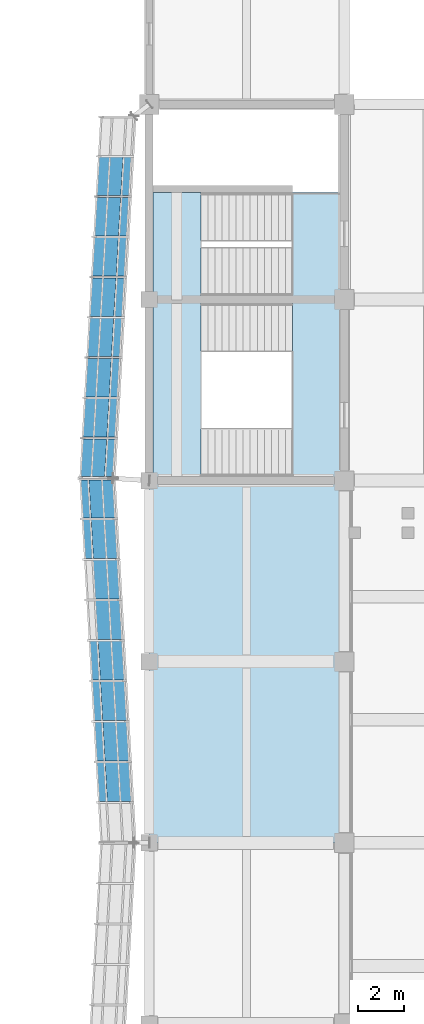
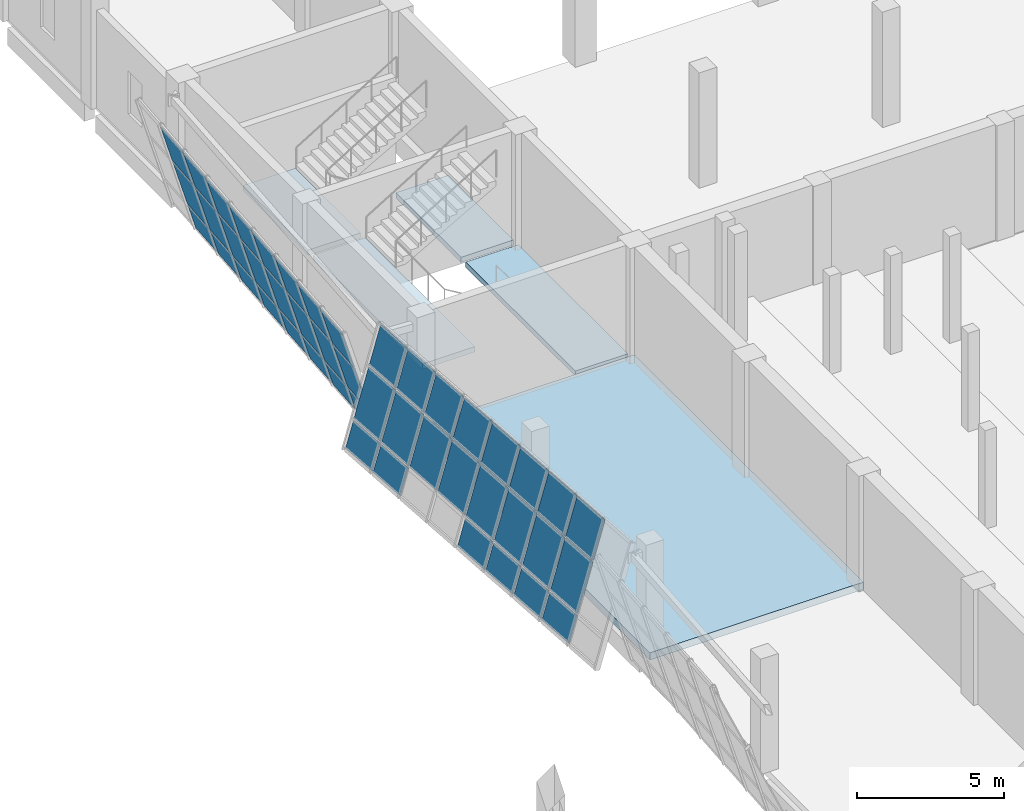
# One storey, part 70 of 91: 46 plates, 5 slabs, 4 elements without a shape of their own.
"""IFC4 building model written with IfcOpenShell, lengths in metres."""

from ifc_helpers import new_model, si_unit, direction, frame, origin, place, context, subcontext, project, spatial, polyline, outline, extrude, material, layer, layer_set, type_object, element, aggregate, save


model = new_model("IFC4")

# Units and contexts
model_context = context("Model", 3, precision=1e-05, world=origin(), true_north=direction((0.0, 1.0)))
body_context = subcontext(model_context, "Body", "Model", "MODEL_VIEW")
ifc_project = project(units=[si_unit("LENGTHUNIT", "METRE"), si_unit("AREAUNIT", "SQUARE_METRE"), si_unit("VOLUMEUNIT", "CUBIC_METRE"), si_unit("PLANEANGLEUNIT", "RADIAN"), si_unit("MASSUNIT", "GRAM", prefix="KILO")], contexts=[model_context])

# Site, building, storey
site_placement = place(None, origin())
site = spatial("IfcSite", under=ifc_project, at=site_placement, CompositionType="ELEMENT")
building_placement = place(site_placement, origin())
building = spatial("IfcBuilding", under=site, at=building_placement, Name="Pellamere Symphony Hall", CompositionType="ELEMENT")
storey_placement = place(building_placement, frame((0.0, 0.0, 5.39990234375)))
storey = spatial("IfcBuildingStorey", under=building, at=storey_placement, Name="L01", CompositionType="ELEMENT", Elevation=5.39990234375)

# Curtain wall, plates
ifc_material_1 = material(Name="Thermally Broken Anodised Aluminium 6063-T6 Curtain Wall", Category="aluminium")
curtain_wall_type = type_object("IfcCurtainWallType", Name="Curtain Wall CW-01 (Tilted Faceted Crystal Low-Iron Curtain Wall)", PredefinedType="NOTDEFINED", material=ifc_material_1)
curtain_wall_1_placement = place(storey_placement, origin())
curtain_wall_1 = element("IfcCurtainWall", 1, at=curtain_wall_1_placement, inside=storey, type_object=curtain_wall_type, Name="Crystal Faceted Curtain Wall CW-CR15 (L01)", PredefinedType="NOTDEFINED")
ifc_material_2 = material(Name="Triple Laminated Acoustic Crystal Glazing 42mm", Category="glass")
ifc_layer_1 = layer(ifc_material_2, 0.0419921875, Name="Triple Laminated Acoustic Crystal Glazing 42mm")
ifc_layer_set_1 = layer_set([ifc_layer_1], Name="Triple Laminated Acoustic Crystal Glazing 42mm")
plate_type = type_object("IfcPlateType", Name="Facade Panel GL-02 42mm", PredefinedType="CURTAIN_PANEL", material=ifc_layer_set_1)
plate_1_placement = place(storey_placement, frame((49.62646484375, 91.329345703125, 0.072021484375), z_axis=(0.957384191148, -0.055168665121, 0.283499433736), x_axis=(-0.057534824757, -0.998343499775, 1.9941656e-05)))
plate_1 = element("IfcPlate", 2, at=plate_1_placement, type_object=plate_type, Name="CW1-038 crystal glass panel 2.1", PredefinedType="CURTAIN_PANEL", context=body_context, shape_type="SweptSolid", body=[
    extrude(outline(polyline([(0.0, 0.0), (1.6614500460875117, 3.469446951953614e-18), (1.6792538494578284, -1.0888279602336133), (0.017817849958392376, -1.0888970590414027), (0.0, 0.0)])), origin(), (0.0, 0.0, -1.0), 0.0419921875),
])
plate_2_placement = place(storey_placement, frame((49.2958984375, 91.329345703125, 1.18798828125), z_axis=(0.957380265181, -0.055238896666, 0.283499016112), x_axis=(-0.057602168051, -0.998339616682, 0.0)))
plate_2 = element("IfcPlate", 3, at=plate_2_placement, type_object=plate_type, Name="CW1-038 crystal glass panel 2.2", PredefinedType="CURTAIN_PANEL", context=body_context, shape_type="SweptSolid", body=[
    extrude(outline(polyline([(0.0, 0.0), (1.6614500501978287, -3.469446951953614e-18), (1.694610673309276, -2.0272653718407074), (0.03316062311144734, -2.0272653718407074), (0.0, 0.0)])), origin(), (0.0, 0.0, -1.0), 0.0419921875),
])
plate_3_placement = place(storey_placement, frame((48.69873046875, 91.329345703125, 3.2041015625), z_axis=(0.957366710729, -0.055238114602, 0.283544938033), x_axis=(-0.057602168051, -0.998339616682, 0.0)))
plate_3 = element("IfcPlate", 4, at=plate_3_placement, type_object=plate_type, Name="CW1-038 crystal glass panel 2.3", PredefinedType="CURTAIN_PANEL", context=body_context, shape_type="SweptSolid", body=[
    extrude(outline(polyline([(0.0, 0.0), (1.6614500501978287, 0.0), (1.687452591390817, -1.5894005907142166), (0.02600254119298818, -1.5894005907142166), (0.0, 0.0)])), origin(), (0.0, 0.0, -1.0), 0.0419921875),
])
plate_4_placement = place(storey_placement, frame((49.526611328125, 89.595947265625, 0.072021484375), z_axis=(0.957349655397, -0.055245262022, 0.283601125412), x_axis=(-0.057610619545, -0.998339129012, 0.0)))
plate_4 = element("IfcPlate", 5, at=plate_4_placement, type_object=plate_type, Name="CW1-038 crystal glass panel 3.1", PredefinedType="CURTAIN_PANEL", context=body_context, shape_type="SweptSolid", body=[
    extrude(outline(polyline([(0.0, 0.0), (1.6612063149993754, -3.469446951953614e-18), (1.67902678740273, -1.0888970223981924), (0.017820472403354506, -1.0888970223981924), (0.0, 0.0)])), origin(), (0.0, 0.0, -1.0), 0.0419921875),
])
plate_5_placement = place(storey_placement, frame((49.196044921875, 89.595947265625, 1.18798828125), z_axis=(0.957347197893, -0.055245120208, 0.283609448679), x_axis=(-0.057610619545, -0.998339129012, 0.0)))
plate_5 = element("IfcPlate", 6, at=plate_5_placement, type_object=plate_type, Name="CW1-038 crystal glass panel 3.2", PredefinedType="CURTAIN_PANEL", context=body_context, shape_type="SweptSolid", body=[
    extrude(outline(polyline([(0.0, 0.0), (1.6612063149993754, -6.938893903907228e-18), (1.6943858685901516, -2.0273344043651265), (0.03317955359077607, -2.0273344043651265), (0.0, 0.0)])), origin(), (0.0, 0.0, -1.0), 0.0419921875),
])
plate_6_placement = place(storey_placement, frame((48.598876953125, 89.595947265625, 3.2041015625), z_axis=(0.957366280672, -0.055246221408, 0.283544810662), x_axis=(-0.057610619545, -0.998339129012, 0.0)))
plate_6 = element("IfcPlate", 7, at=plate_6_placement, type_object=plate_type, Name="CW1-038 crystal glass panel 3.3", PredefinedType="CURTAIN_PANEL", context=body_context, shape_type="SweptSolid", body=[
    extrude(outline(polyline([(0.0, 0.0), (1.6612063149993754, 0.0), (1.68721267133229, -1.5894005282940733), (0.02600635633291435, -1.5894005282940733), (0.0, 0.0)])), origin(), (0.0, 0.0, -1.0), 0.0419921875),
])
plate_7_placement = place(storey_placement, frame((49.426513671875, 87.862548828125, 0.072021484375), z_axis=(0.957349655397, -0.055245262022, 0.283601125412), x_axis=(-0.057610619545, -0.998339129012, 0.0)))
plate_7 = element("IfcPlate", 8, at=plate_7_placement, type_object=plate_type, Name="CW1-038 crystal glass panel 4.1", PredefinedType="CURTAIN_PANEL", context=body_context, shape_type="SweptSolid", body=[
    extrude(outline(polyline([(0.0, 0.0), (1.6612063149993754, -3.469446951953614e-18), (1.67902678740273, -1.0888970223981924), (0.017820472403354506, -1.0888970223981924), (0.0, 0.0)])), origin(), (0.0, 0.0, -1.0), 0.0419921875),
])
plate_8_placement = place(storey_placement, frame((49.095947265625, 87.862548828125, 1.18798828125), z_axis=(0.957347197893, -0.055245120208, 0.283609448679), x_axis=(-0.057610619545, -0.998339129012, 0.0)))
plate_8 = element("IfcPlate", 9, at=plate_8_placement, type_object=plate_type, Name="CW1-038 crystal glass panel 4.2", PredefinedType="CURTAIN_PANEL", context=body_context, shape_type="SweptSolid", body=[
    extrude(outline(polyline([(0.0, 0.0), (1.6612063149993754, -6.938893903907228e-18), (1.6943858685901516, -2.0273344043651265), (0.03317955359077607, -2.0273344043651265), (0.0, 0.0)])), origin(), (0.0, 0.0, -1.0), 0.0419921875),
])
plate_9_placement = place(storey_placement, frame((48.498779296875, 87.862548828125, 3.2041015625), z_axis=(0.957366280672, -0.055246221408, 0.283544810662), x_axis=(-0.057610619545, -0.998339129012, 0.0)))
plate_9 = element("IfcPlate", 10, at=plate_9_placement, type_object=plate_type, Name="CW1-038 crystal glass panel 4.3", PredefinedType="CURTAIN_PANEL", context=body_context, shape_type="SweptSolid", body=[
    extrude(outline(polyline([(0.0, 0.0), (1.6612063149993754, 0.0), (1.68721267133229, -1.5894005282940733), (0.02600635633291435, -1.5894005282940733), (0.0, 0.0)])), origin(), (0.0, 0.0, -1.0), 0.0419921875),
])
plate_10_placement = place(storey_placement, frame((49.32666015625, 86.129150390625, 0.072021484375), z_axis=(0.957349655397, -0.055245262022, 0.283601125412), x_axis=(-0.057610619545, -0.998339129012, 0.0)))
plate_10 = element("IfcPlate", 11, at=plate_10_placement, type_object=plate_type, Name="CW1-038 crystal glass panel 5.1", PredefinedType="CURTAIN_PANEL", context=body_context, shape_type="SweptSolid", body=[
    extrude(outline(polyline([(0.0, 0.0), (1.6612063149993754, -3.469446951953614e-18), (1.67902678740273, -1.0888970223981924), (0.017820472403354506, -1.0888970223981924), (0.0, 0.0)])), origin(), (0.0, 0.0, -1.0), 0.0419921875),
])
plate_11_placement = place(storey_placement, frame((48.995849609375, 86.129150390625, 1.18798828125), z_axis=(0.957367242492, -0.055175809721, 0.283555273316), x_axis=(-0.057531491242, -0.99834369188, -1.9948326e-05)))
plate_11 = element("IfcPlate", 12, at=plate_11_placement, type_object=plate_type, Name="CW1-038 crystal glass panel 5.2", PredefinedType="CURTAIN_PANEL", context=body_context, shape_type="SweptSolid", body=[
    extrude(outline(polyline([(0.0, 0.0), (1.6611922636766812, 0.0), (1.694287463706593, -2.027335779780024), (0.03308115425568296, -2.027266666811499), (0.0, 0.0)])), origin(), (0.0, 0.0, -1.0), 0.0419921875),
])
plate_12_placement = place(storey_placement, frame((48.398681640625, 86.129150390625, 3.2041015625), z_axis=(0.95734918905, -0.05517476925, 0.283616422417), x_axis=(-0.057531488702, -0.998343692027, -1.9952251e-05)))
plate_12 = element("IfcPlate", 13, at=plate_12_placement, type_object=plate_type, Name="CW1-038 crystal glass panel 5.3", PredefinedType="CURTAIN_PANEL", context=body_context, shape_type="SweptSolid", body=[
    extrude(outline(polyline([(0.0, 0.0), (1.6611922636768361, -3.469446951953614e-18), (1.6871465342319034, -1.5894707325632007), (0.02594022478145854, -1.589401604690365), (0.0, 0.0)])), origin(), (0.0, 0.0, -1.0), 0.0419921875),
])
plate_13_placement = place(storey_placement, frame((49.2265625, 84.39599609375, 0.072021484375), z_axis=(0.957349655397, -0.055245262022, 0.283601125412), x_axis=(-0.057610619545, -0.998339129012, 0.0)))
plate_13 = element("IfcPlate", 14, at=plate_13_placement, type_object=plate_type, Name="CW1-038 crystal glass panel 6.1", PredefinedType="CURTAIN_PANEL", context=body_context, shape_type="SweptSolid", body=[
    extrude(outline(polyline([(0.0, 0.0), (1.6612063149993754, -3.469446951953614e-18), (1.67902678740273, -1.0888970223981924), (0.017820472403354506, -1.0888970223981924), (0.0, 0.0)])), origin(), (0.0, 0.0, -1.0), 0.0419921875),
])
plate_14_placement = place(storey_placement, frame((48.89599609375, 84.39599609375, 1.18798828125), z_axis=(0.957347197893, -0.055245120208, 0.283609448679), x_axis=(-0.057610619545, -0.998339129012, 0.0)))
plate_14 = element("IfcPlate", 15, at=plate_14_placement, type_object=plate_type, Name="CW1-038 crystal glass panel 6.2", PredefinedType="CURTAIN_PANEL", context=body_context, shape_type="SweptSolid", body=[
    extrude(outline(polyline([(0.0, 0.0), (1.6612063149993754, -6.938893903907228e-18), (1.6943858685901516, -2.0273344043651265), (0.03317955359077607, -2.0273344043651265), (0.0, 0.0)])), origin(), (0.0, 0.0, -1.0), 0.0419921875),
])
plate_15_placement = place(storey_placement, frame((48.298828125, 84.39599609375, 3.2041015625), z_axis=(0.957366280672, -0.055246221408, 0.283544810662), x_axis=(-0.057610619545, -0.998339129012, 0.0)))
plate_15 = element("IfcPlate", 16, at=plate_15_placement, type_object=plate_type, Name="CW1-038 crystal glass panel 6.3", PredefinedType="CURTAIN_PANEL", context=body_context, shape_type="SweptSolid", body=[
    extrude(outline(polyline([(0.0, 0.0), (1.6612063149993754, 0.0), (1.68721267133229, -1.5894005282940733), (0.02600635633291435, -1.5894005282940733), (0.0, 0.0)])), origin(), (0.0, 0.0, -1.0), 0.0419921875),
])
plate_16_placement = place(storey_placement, frame((49.12646484375, 82.66259765625, 0.072021484375), z_axis=(0.957383762164, -0.055176761797, 0.283499306706), x_axis=(-0.057543266432, -0.998343013243, 1.9944564e-05)))
plate_16 = element("IfcPlate", 17, at=plate_16_placement, type_object=plate_type, Name="CW1-038 crystal glass panel 7.1", PredefinedType="CURTAIN_PANEL", context=body_context, shape_type="SweptSolid", body=[
    extrude(outline(polyline([(0.0, 0.0), (1.6612063108884592, 0.0), (1.6790127264650492, -1.0888279175173945), (0.017820464225621006, -1.0888970162604688), (0.0, 0.0)])), origin(), (0.0, 0.0, -1.0), 0.0419921875),
])
plate_17_placement = place(storey_placement, frame((48.7958984375, 82.66259765625, 1.18798828125), z_axis=(0.957379835106, -0.055247003586, 0.283498888758), x_axis=(-0.057610619545, -0.998339129012, 0.0)))
plate_17 = element("IfcPlate", 18, at=plate_17_placement, type_object=plate_type, Name="CW1-038 crystal glass panel 7.2", PredefinedType="CURTAIN_PANEL", context=body_context, shape_type="SweptSolid", body=[
    extrude(outline(polyline([(0.0, 0.0), (1.6612063149993754, 3.469446951953614e-18), (1.694371803497489, -2.0272652922501933), (0.03316548849811359, -2.0272652922501933), (0.0, 0.0)])), origin(), (0.0, 0.0, -1.0), 0.0419921875),
])
plate_18_placement = place(storey_placement, frame((48.19873046875, 82.66259765625, 3.2041015625), z_axis=(0.957366280672, -0.055246221408, 0.283544810662), x_axis=(-0.057610619545, -0.998339129012, 0.0)))
plate_18 = element("IfcPlate", 19, at=plate_18_placement, type_object=plate_type, Name="CW1-038 crystal glass panel 7.3", PredefinedType="CURTAIN_PANEL", context=body_context, shape_type="SweptSolid", body=[
    extrude(outline(polyline([(0.0, 0.0), (1.6612063149993754, 0.0), (1.68721267133229, -1.5894005282940733), (0.02600635633291435, -1.5894005282940733), (0.0, 0.0)])), origin(), (0.0, 0.0, -1.0), 0.0419921875),
])
plate_19_placement = place(storey_placement, frame((49.026611328125, 80.92919921875, 0.072021484375), z_axis=(0.957349655397, -0.055245262022, 0.283601125412), x_axis=(-0.057610619545, -0.998339129012, 0.0)))
plate_19 = element("IfcPlate", 20, at=plate_19_placement, type_object=plate_type, Name="CW1-038 crystal glass panel 8.1", PredefinedType="CURTAIN_PANEL", context=body_context, shape_type="SweptSolid", body=[
    extrude(outline(polyline([(0.0, 0.0), (1.6612063149993754, -3.469446951953614e-18), (1.67902678740273, -1.0888970223981924), (0.017820472403354506, -1.0888970223981924), (0.0, 0.0)])), origin(), (0.0, 0.0, -1.0), 0.0419921875),
])
plate_20_placement = place(storey_placement, frame((48.696044921875, 80.92919921875, 1.18798828125), z_axis=(0.957347197893, -0.055245120208, 0.283609448679), x_axis=(-0.057610619545, -0.998339129012, 0.0)))
plate_20 = element("IfcPlate", 21, at=plate_20_placement, type_object=plate_type, Name="CW1-038 crystal glass panel 8.2", PredefinedType="CURTAIN_PANEL", context=body_context, shape_type="SweptSolid", body=[
    extrude(outline(polyline([(0.0, 0.0), (1.6612063149993754, -6.938893903907228e-18), (1.6943858685901516, -2.0273344043651265), (0.03317955359077607, -2.0273344043651265), (0.0, 0.0)])), origin(), (0.0, 0.0, -1.0), 0.0419921875),
])
plate_21_placement = place(storey_placement, frame((48.098876953125, 80.92919921875, 3.2041015625), z_axis=(0.957366280672, -0.055246221408, 0.283544810662), x_axis=(-0.057610619545, -0.998339129012, 0.0)))
plate_21 = element("IfcPlate", 22, at=plate_21_placement, type_object=plate_type, Name="CW1-038 crystal glass panel 8.3", PredefinedType="CURTAIN_PANEL", context=body_context, shape_type="SweptSolid", body=[
    extrude(outline(polyline([(0.0, 0.0), (1.6612063149993754, 0.0), (1.68721267133229, -1.5894005282940733), (0.02600635633291435, -1.5894005282940733), (0.0, 0.0)])), origin(), (0.0, 0.0, -1.0), 0.0419921875),
])
plate_22_placement = place(storey_placement, frame((48.926513671875, 79.19580078125, 0.072021484375), z_axis=(0.957350518643, -0.055228987595, 0.283601381137), x_axis=(-0.057593652861, -0.998340107954, 0.0)))
plate_22 = element("IfcPlate", 23, at=plate_22_placement, type_object=plate_type, Name="CW1-038 crystal glass panel 9.1", PredefinedType="CURTAIN_PANEL", context=body_context, shape_type="SweptSolid", body=[
    extrude(outline(polyline([(0.0, 0.0), (1.6235445180063734, 3.469446951953614e-18), (1.6413597421702713, -1.0888971082762222), (0.01781522416389773, -1.0888971082762222), (0.0, 0.0)])), origin(), (0.0, 0.0, -1.0), 0.0419921875),
])
plate_23_placement = place(storey_placement, frame((48.595947265625, 79.19580078125, 1.18798828125), z_axis=(0.957348061132, -0.055228845822, 0.283609704409), x_axis=(-0.057593652861, -0.998340107954, 0.0)))
plate_23 = element("IfcPlate", 24, at=plate_23_placement, type_object=plate_type, Name="CW1-038 crystal glass panel 9.2", PredefinedType="CURTAIN_PANEL", context=body_context, shape_type="SweptSolid", body=[
    extrude(outline(polyline([(0.0, 0.0), (1.6235445180063734, 3.469446951953614e-18), (1.6567143000131885, -2.027334564264273), (0.033169782006815106, -2.027334564264273), (0.0, 0.0)])), origin(), (0.0, 0.0, -1.0), 0.0419921875),
])
plate_24_placement = place(storey_placement, frame((47.998779296875, 79.19580078125, 3.2041015625), z_axis=(0.957367143963, -0.055229946699, 0.283545066344), x_axis=(-0.057593652861, -0.998340107954, 0.0)))
plate_24 = element("IfcPlate", 25, at=plate_24_placement, type_object=plate_type, Name="CW1-038 crystal glass panel 9.3", PredefinedType="CURTAIN_PANEL", context=body_context, shape_type="SweptSolid", body=[
    extrude(outline(polyline([(0.0, 0.0), (1.6235445180063734, 6.938893903907228e-18), (1.6495432153063316, -1.5894006535955305), (0.02599869729995809, -1.5894006535955305), (0.0, 0.0)])), origin(), (0.0, 0.0, -1.0), 0.0419921875),
])
aggregate(curtain_wall_1, [plate_1, plate_2, plate_3, plate_4, plate_5, plate_6, plate_7, plate_8, plate_9, plate_10, plate_11, plate_12, plate_13, plate_14, plate_15, plate_16, plate_17, plate_18, plate_19, plate_20, plate_21, plate_22, plate_23, plate_24])

curtain_wall_2_placement = place(storey_placement, origin())
curtain_wall_2 = element("IfcCurtainWall", 26, at=curtain_wall_2_placement, inside=storey, type_object=curtain_wall_type, Name="Crystal Faceted Curtain Wall CW-CR16 (L01)", PredefinedType="NOTDEFINED")
plate_25_placement = place(storey_placement, frame((47.453857421875, 77.425048828125, 0.072021484375), z_axis=(-0.957370543914, -0.054850099973, 0.283607313336), x_axis=(0.057198647566, -0.998362817175, 0.0)))
plate_25 = element("IfcPlate", 27, at=plate_25_placement, type_object=plate_type, Name="CW1-043 crystal glass panel 1.1", PredefinedType="CURTAIN_PANEL", context=body_context, shape_type="SweptSolid", body=[
    extrude(outline(polyline([(0.0, 0.0), (1.6347564733470132, -3.469446951953614e-18), (1.652449512034991, 1.0888991004708903), (0.01769303868797779, 1.0888991004708903), (0.0, 0.0)])), origin(), (0.0, 0.0, -1.0), 0.0419921875),
])
plate_26_placement = place(storey_placement, frame((47.784423828125, 77.425048828125, 1.18798828125), z_axis=(-0.957368086249, -0.054849959167, 0.283615636753), x_axis=(0.057198647566, -0.998362817175, 0.0)))
plate_26 = element("IfcPlate", 28, at=plate_26_placement, type_object=plate_type, Name="CW1-043 crystal glass panel 1.2", PredefinedType="CURTAIN_PANEL", context=body_context, shape_type="SweptSolid", body=[
    extrude(outline(polyline([(0.0, 0.0), (1.6347564733470132, 0.0), (1.6676987608489386, 2.027338273597459), (0.032942287501925495, 2.027338273597459), (0.0, 0.0)])), origin(), (0.0, 0.0, -1.0), 0.0419921875),
])
plate_27_placement = place(storey_placement, frame((48.381591796875, 77.425048828125, 3.2041015625), z_axis=(-0.957387170277, -0.054851052538, 0.283550997572), x_axis=(0.057198647566, -0.998362817175, 0.0)))
plate_27 = element("IfcPlate", 29, at=plate_27_placement, type_object=plate_type, Name="CW1-043 crystal glass panel 1.3", PredefinedType="CURTAIN_PANEL", context=body_context, shape_type="SweptSolid", body=[
    extrude(outline(polyline([(0.0, 0.0), (1.6347564733470132, 0.0), (1.6605768589303367, 1.5894035603330965), (0.025820385583323543, 1.5894035603330965), (0.0, 0.0)])), origin(), (0.0, 0.0, -1.0), 0.0419921875),
])
plate_28_placement = place(storey_placement, frame((47.5517578125, 75.718017578125, 0.072021484375), z_axis=(-0.95742957948, -0.05488628183, 0.283400946369), x_axis=(0.057232737422, -0.998360863499, 0.0)))
plate_28 = element("IfcPlate", 30, at=plate_28_placement, type_object=plate_type, Name="CW1-043 crystal glass panel 2.1", PredefinedType="CURTAIN_PANEL", context=body_context, shape_type="SweptSolid", body=[
    extrude(outline(polyline([(0.0, 0.0), (1.6721745160346768, 0.0), (1.6898641267710717, 1.0888298277192388), (0.017689610736394717, 1.0888298277192388), (0.0, 0.0)])), origin(), (0.0, 0.0, -1.0), 0.0419921875),
])
plate_29_placement = place(storey_placement, frame((47.88232421875, 75.718017578125, 1.18798828125), z_axis=(-0.957399002665, -0.054884528962, 0.283504564647), x_axis=(0.057232737422, -0.998360863499, 0.0)))
plate_29 = element("IfcPlate", 31, at=plate_29_placement, type_object=plate_type, Name="CW1-043 crystal glass panel 2.2", PredefinedType="CURTAIN_PANEL", context=body_context, shape_type="SweptSolid", body=[
    extrude(outline(polyline([(0.0, 0.0), (1.6721745160346768, 0.0), (1.7051224639939333, 2.0272688394771072), (0.03294794795925651, 2.0272688394771072), (0.0, 0.0)])), origin(), (0.0, 0.0, -1.0), 0.0419921875),
])
plate_30_placement = place(storey_placement, frame((48.4794921875, 75.718017578125, 3.2041015625), z_axis=(-0.957385447417, -0.054883751885, 0.28355048731), x_axis=(0.057232737422, -0.998360863499, 0.0)))
plate_30 = element("IfcPlate", 32, at=plate_30_placement, type_object=plate_type, Name="CW1-043 crystal glass panel 2.3", PredefinedType="CURTAIN_PANEL", context=body_context, shape_type="SweptSolid", body=[
    extrude(outline(polyline([(0.0, 0.0), (1.6721745160346768, 0.0), (1.6980102903250354, 1.589403310263953), (0.025835774290358476, 1.589403310263953), (0.0, 0.0)])), origin(), (0.0, 0.0, -1.0), 0.0419921875),
])
plate_31_placement = place(storey_placement, frame((47.982177734375, 73.9736328125, 1.18798828125), z_axis=(-0.957366363492, -0.054882657866, 0.283615126394), x_axis=(0.057232737422, -0.998360863499, 0.0)))
plate_31 = element("IfcPlate", 33, at=plate_31_placement, type_object=plate_type, Name="CW1-043 crystal glass panel 3.2", PredefinedType="CURTAIN_PANEL", context=body_context, shape_type="SweptSolid", body=[
    extrude(outline(polyline([(0.0, 0.0), (1.6721745160346768, 0.0), (1.705136436830218, 2.027337954480322), (0.03296192079554119, 2.027337954480322), (0.0, 0.0)])), origin(), (0.0, 0.0, -1.0), 0.0419921875),
])
plate_32_placement = place(storey_placement, frame((48.579345703125, 73.9736328125, 3.2041015625), z_axis=(-0.957385447417, -0.054883751885, 0.28355048731), x_axis=(0.057232737422, -0.998360863499, 0.0)))
plate_32 = element("IfcPlate", 34, at=plate_32_placement, type_object=plate_type, Name="CW1-043 crystal glass panel 3.3", PredefinedType="CURTAIN_PANEL", context=body_context, shape_type="SweptSolid", body=[
    extrude(outline(polyline([(0.0, 0.0), (1.6721745160346768, 0.0), (1.6980102903250354, 1.589403310263953), (0.025835774290358476, 1.589403310263953), (0.0, 0.0)])), origin(), (0.0, 0.0, -1.0), 0.0419921875),
])
plate_33_placement = place(storey_placement, frame((48.082275390625, 72.229248046875, 1.18798828125), z_axis=(-0.957366785115, -0.054874657079, 0.283615251298), x_axis=(0.057224396245, -0.998361341637, 0.0)))
plate_33 = element("IfcPlate", 35, at=plate_33_placement, type_object=plate_type, Name="CW1-043 crystal glass panel 4.2", PredefinedType="CURTAIN_PANEL", context=body_context, shape_type="SweptSolid", body=[
    extrude(outline(polyline([(0.0, 0.0), (1.6724182565382377, 3.469446951953614e-18), (1.7053753734187647, 2.0273380325801393), (0.03295711688052672, 2.0273380325801393), (0.0, 0.0)])), origin(), (0.0, 0.0, -1.0), 0.0419921875),
])
plate_34_placement = place(storey_placement, frame((48.679443359375, 72.229248046875, 3.2041015625), z_axis=(-0.957385869065, -0.054875750939, 0.28355061219), x_axis=(0.057224396245, -0.998361341637, 0.0)))
plate_34 = element("IfcPlate", 36, at=plate_34_placement, type_object=plate_type, Name="CW1-043 crystal glass panel 4.3", PredefinedType="CURTAIN_PANEL", context=body_context, shape_type="SweptSolid", body=[
    extrude(outline(polyline([(0.0, 0.0), (1.6724182565382377, 3.469446951953614e-18), (1.6982502654878326, 1.5894033714651616), (0.025832008949594705, 1.5894033714651616), (0.0, 0.0)])), origin(), (0.0, 0.0, -1.0), 0.0419921875),
])
plate_35_placement = place(storey_placement, frame((47.8515625, 70.48486328125, 0.072021484375), z_axis=(-0.95736924277, -0.054874797948, 0.283606927891), x_axis=(0.057224396245, -0.998361341637, 0.0)))
plate_35 = element("IfcPlate", 37, at=plate_35_placement, type_object=plate_type, Name="CW1-043 crystal glass panel 5.1", PredefinedType="CURTAIN_PANEL", context=body_context, shape_type="SweptSolid", body=[
    extrude(outline(polyline([(0.0, 0.0), (1.6724182565382377, -3.469446951953614e-18), (1.6901192599666512, 1.0888989710262178), (0.01770100342841346, 1.0888989710262178), (0.0, 0.0)])), origin(), (0.0, 0.0, -1.0), 0.0419921875),
])
plate_36_placement = place(storey_placement, frame((48.18212890625, 70.48486328125, 1.18798828125), z_axis=(-0.957366785115, -0.054874657079, 0.283615251298), x_axis=(0.057224396245, -0.998361341637, 0.0)))
plate_36 = element("IfcPlate", 38, at=plate_36_placement, type_object=plate_type, Name="CW1-043 crystal glass panel 5.2", PredefinedType="CURTAIN_PANEL", context=body_context, shape_type="SweptSolid", body=[
    extrude(outline(polyline([(0.0, 0.0), (1.6724182565382377, 3.469446951953614e-18), (1.7053753734187647, 2.0273380325801393), (0.03295711688052672, 2.0273380325801393), (0.0, 0.0)])), origin(), (0.0, 0.0, -1.0), 0.0419921875),
])
plate_37_placement = place(storey_placement, frame((48.779296875, 70.48486328125, 3.2041015625), z_axis=(-0.957344230057, -0.054873364261, 0.283691626719), x_axis=(0.057224396245, -0.998361341637, 0.0)))
plate_37 = element("IfcPlate", 39, at=plate_37_placement, type_object=plate_type, Name="CW1-043 crystal glass panel 5.3", PredefinedType="CURTAIN_PANEL", context=body_context, shape_type="SweptSolid", body=[
    extrude(outline(polyline([(0.0, 0.0), (1.6724182565382377, 0.0), (1.6982642362876972, 1.589472501436564), (0.025845979749459277, 1.5894725014365643), (0.0, 0.0)])), origin(), (0.0, 0.0, -1.0), 0.0419921875),
])
plate_38_placement = place(storey_placement, frame((47.95166015625, 68.740234375, 0.072021484375), z_axis=(-0.957368821144, -0.054882798755, 0.28360680299), x_axis=(0.057232737422, -0.998360863499, 0.0)))
plate_38 = element("IfcPlate", 40, at=plate_38_placement, type_object=plate_type, Name="CW1-043 crystal glass panel 6.1", PredefinedType="CURTAIN_PANEL", context=body_context, shape_type="SweptSolid", body=[
    extrude(outline(polyline([(0.0, 0.0), (1.6721745160346768, 3.469446951953614e-18), (1.6898780996073564, 1.0888989290806625), (0.01770358357267939, 1.0888989290806625), (0.0, 0.0)])), origin(), (0.0, 0.0, -1.0), 0.0419921875),
])
plate_39_placement = place(storey_placement, frame((48.2822265625, 68.740234375, 1.18798828125), z_axis=(-0.957366363492, -0.054882657866, 0.283615126394), x_axis=(0.057232737422, -0.998360863499, 0.0)))
plate_39 = element("IfcPlate", 41, at=plate_39_placement, type_object=plate_type, Name="CW1-043 crystal glass panel 6.2", PredefinedType="CURTAIN_PANEL", context=body_context, shape_type="SweptSolid", body=[
    extrude(outline(polyline([(0.0, 0.0), (1.6721745160346768, 0.0), (1.705136436830218, 2.027337954480322), (0.03296192079554119, 2.027337954480322), (0.0, 0.0)])), origin(), (0.0, 0.0, -1.0), 0.0419921875),
])
plate_40_placement = place(storey_placement, frame((48.87939453125, 68.740234375, 3.2041015625), z_axis=(-0.957385447417, -0.054883751885, 0.28355048731), x_axis=(0.057232737422, -0.998360863499, 0.0)))
plate_40 = element("IfcPlate", 42, at=plate_40_placement, type_object=plate_type, Name="CW1-043 crystal glass panel 6.3", PredefinedType="CURTAIN_PANEL", context=body_context, shape_type="SweptSolid", body=[
    extrude(outline(polyline([(0.0, 0.0), (1.6721745160346768, 0.0), (1.6980102903250354, 1.589403310263953), (0.025835774290358476, 1.589403310263953), (0.0, 0.0)])), origin(), (0.0, 0.0, -1.0), 0.0419921875),
])
plate_41_placement = place(storey_placement, frame((48.0517578125, 66.995849609375, 0.072021484375), z_axis=(-0.95742957948, -0.05488628183, 0.283400946369), x_axis=(0.057232737422, -0.998360863499, 0.0)))
plate_41 = element("IfcPlate", 43, at=plate_41_placement, type_object=plate_type, Name="CW1-043 crystal glass panel 7.1", PredefinedType="CURTAIN_PANEL", context=body_context, shape_type="SweptSolid", body=[
    extrude(outline(polyline([(0.0, 0.0), (1.6721745160346768, 0.0), (1.6898641267710717, 1.0888298277192388), (0.017689610736394717, 1.0888298277192388), (0.0, 0.0)])), origin(), (0.0, 0.0, -1.0), 0.0419921875),
])
plate_42_placement = place(storey_placement, frame((48.38232421875, 66.995849609375, 1.18798828125), z_axis=(-0.957399002665, -0.054884528962, 0.283504564647), x_axis=(0.057232737422, -0.998360863499, 0.0)))
plate_42 = element("IfcPlate", 44, at=plate_42_placement, type_object=plate_type, Name="CW1-043 crystal glass panel 7.2", PredefinedType="CURTAIN_PANEL", context=body_context, shape_type="SweptSolid", body=[
    extrude(outline(polyline([(0.0, 0.0), (1.6721745160346768, 0.0), (1.7051224639939333, 2.0272688394771072), (0.03294794795925651, 2.0272688394771072), (0.0, 0.0)])), origin(), (0.0, 0.0, -1.0), 0.0419921875),
])
plate_43_placement = place(storey_placement, frame((48.9794921875, 66.995849609375, 3.2041015625), z_axis=(-0.957385447417, -0.054883751885, 0.28355048731), x_axis=(0.057232737422, -0.998360863499, 0.0)))
plate_43 = element("IfcPlate", 45, at=plate_43_placement, type_object=plate_type, Name="CW1-043 crystal glass panel 7.3", PredefinedType="CURTAIN_PANEL", context=body_context, shape_type="SweptSolid", body=[
    extrude(outline(polyline([(0.0, 0.0), (1.6721745160346768, 0.0), (1.6980102903250354, 1.589403310263953), (0.025835774290358476, 1.589403310263953), (0.0, 0.0)])), origin(), (0.0, 0.0, -1.0), 0.0419921875),
])
plate_44_placement = place(storey_placement, frame((48.151611328125, 65.25146484375, 0.072021484375), z_axis=(-0.95736924277, -0.054874797948, 0.283606927891), x_axis=(0.057224396245, -0.998361341637, 0.0)))
plate_44 = element("IfcPlate", 46, at=plate_44_placement, type_object=plate_type, Name="CW1-043 crystal glass panel 8.1", PredefinedType="CURTAIN_PANEL", context=body_context, shape_type="SweptSolid", body=[
    extrude(outline(polyline([(0.0, 0.0), (1.6724182565382377, -3.469446951953614e-18), (1.6901192599666512, 1.0888989710262178), (0.01770100342841346, 1.0888989710262178), (0.0, 0.0)])), origin(), (0.0, 0.0, -1.0), 0.0419921875),
])
plate_45_placement = place(storey_placement, frame((48.482177734375, 65.25146484375, 1.18798828125), z_axis=(-0.957366785115, -0.054874657079, 0.283615251298), x_axis=(0.057224396245, -0.998361341637, 0.0)))
plate_45 = element("IfcPlate", 47, at=plate_45_placement, type_object=plate_type, Name="CW1-043 crystal glass panel 8.2", PredefinedType="CURTAIN_PANEL", context=body_context, shape_type="SweptSolid", body=[
    extrude(outline(polyline([(0.0, 0.0), (1.6724182565382377, 3.469446951953614e-18), (1.7053753734187647, 2.0273380325801393), (0.03295711688052672, 2.0273380325801393), (0.0, 0.0)])), origin(), (0.0, 0.0, -1.0), 0.0419921875),
])
plate_46_placement = place(storey_placement, frame((49.079345703125, 65.25146484375, 3.2041015625), z_axis=(-0.957385869065, -0.054875750939, 0.28355061219), x_axis=(0.057224396245, -0.998361341637, 0.0)))
plate_46 = element("IfcPlate", 48, at=plate_46_placement, type_object=plate_type, Name="CW1-043 crystal glass panel 8.3", PredefinedType="CURTAIN_PANEL", context=body_context, shape_type="SweptSolid", body=[
    extrude(outline(polyline([(0.0, 0.0), (1.6724182565382377, 3.469446951953614e-18), (1.6982502654878326, 1.5894033714651616), (0.025832008949594705, 1.5894033714651616), (0.0, 0.0)])), origin(), (0.0, 0.0, -1.0), 0.0419921875),
])
aggregate(curtain_wall_2, [plate_25, plate_26, plate_27, plate_28, plate_29, plate_30, plate_31, plate_32, plate_33, plate_34, plate_35, plate_36, plate_37, plate_38, plate_39, plate_40, plate_41, plate_42, plate_43, plate_44, plate_45, plate_46])

# Stair, slabs
ifc_material_3 = material(Name="Concrete 40 MPa", Category="concrete")
stair_type = type_object("IfcStairType", Name="Stair ST-B W2050", PredefinedType="HALF_TURN_STAIR", material=ifc_material_3)
stair_1_placement = place(storey_placement, origin())
stair_1 = element("IfcStair", 49, at=stair_1_placement, inside=storey, type_object=stair_type, Name="Exit Stair ST07-L01 (L01 to L02)", PredefinedType="HALF_TURN_STAIR")
ifc_layer_2 = layer(ifc_material_3, 0.219970703125, Name="Concrete 40 MPa")
ifc_layer_set_2 = layer_set([ifc_layer_2], Name="Concrete 40 MPa")
slab_type_1 = type_object("IfcSlabType", Name="Stair Landing SL-01 220mm", PredefinedType="LANDING", material=ifc_layer_set_2)
slab_1_placement = place(storey_placement, frame((0.0, 0.0, -0.219970703125)))
slab_1 = element("IfcSlab", 50, at=slab_1_placement, type_object=slab_type_1, Name="Stair ST07-L01 Bottom Landing (L01)", PredefinedType="LANDING", context=body_context, shape_type="SweptSolid", body=[
    extrude(outline(polyline([(56.574951171875, 77.56005859375), (58.639892578125, 77.56005859375), (58.639892578125, 85.0400390625), (56.574951171875, 85.0400390625), (56.574951171875, 77.56005859375)])), origin(), (0.0, 0.0, 1.0), 0.219970703125),
])
slab_2_placement = place(storey_placement, frame((0.0, 0.0, 2.18017578125)))
slab_2 = element("IfcSlab", 51, at=slab_2_placement, type_object=slab_type_1, Name="Stair ST07-L01 Half Landing (L01)", PredefinedType="LANDING", context=body_context, shape_type="SweptSolid", body=[
    extrude(outline(polyline([(50.56005859375, 77.56005859375), (52.625, 77.56005859375), (52.625, 85.0400390625), (50.56005859375, 85.0400390625), (50.56005859375, 77.56005859375)])), origin(), (0.0, 0.0, 1.0), 0.219970703125),
])
aggregate(stair_1, [slab_1, slab_2])

stair_2_placement = place(storey_placement, origin())
stair_2 = element("IfcStair", 52, at=stair_2_placement, inside=storey, type_object=stair_type, Name="Exit Stair ST13-L01 (L01 to L02)", PredefinedType="HALF_TURN_STAIR")
slab_3_placement = place(storey_placement, frame((0.0, 0.0, -0.219970703125)))
slab_3 = element("IfcSlab", 53, at=slab_3_placement, type_object=slab_type_1, Name="Stair ST13-L01 Bottom Landing (L01)", PredefinedType="LANDING", context=body_context, shape_type="SweptSolid", body=[
    extrude(outline(polyline([(56.574951171875, 85.360107421875), (58.639892578125, 85.360107421875), (58.639892578125, 89.800048828125), (56.574951171875, 89.800048828125), (56.574951171875, 85.360107421875)])), origin(), (0.0, 0.0, 1.0), 0.219970703125),
])
slab_4_placement = place(storey_placement, frame((0.0, 0.0, 2.18017578125)))
slab_4 = element("IfcSlab", 54, at=slab_4_placement, type_object=slab_type_1, Name="Stair ST13-L01 Half Landing (L01)", PredefinedType="LANDING", context=body_context, shape_type="SweptSolid", body=[
    extrude(outline(polyline([(50.56005859375, 85.360107421875), (52.625, 85.360107421875), (52.625, 89.800048828125), (50.56005859375, 89.800048828125), (50.56005859375, 85.360107421875)])), origin(), (0.0, 0.0, 1.0), 0.219970703125),
])
aggregate(stair_2, [slab_3, slab_4])

# Slab
ifc_layer_3 = layer(ifc_material_3, 0.300048828125, Name="Concrete 40 MPa")
ifc_layer_set_3 = layer_set([ifc_layer_3], Name="Concrete 40 MPa")
slab_type_2 = type_object("IfcSlabType", Name="Structural Slab FS-02 300mm", PredefinedType="FLOOR", material=ifc_layer_set_3)
slab_5_placement = place(storey_placement, frame((0.0, 0.0, -0.2998046875)))
element("IfcSlab", 55, at=slab_5_placement, inside=storey, type_object=slab_type_2, Name="Floor Slab L01-V1N-3", PredefinedType="FLOOR", context=body_context, shape_type="SweptSolid", body=[
    extrude(outline(polyline([(58.800048828125, 61.800048828125), (50.39990234375, 61.800048828125), (50.39990234375, 77.39990234375), (58.800048828125, 77.39990234375), (58.800048828125, 61.800048828125)])), origin(), (0.0, 0.0, 1.0), 0.2998046875),
])

save(model, "model.ifc")
